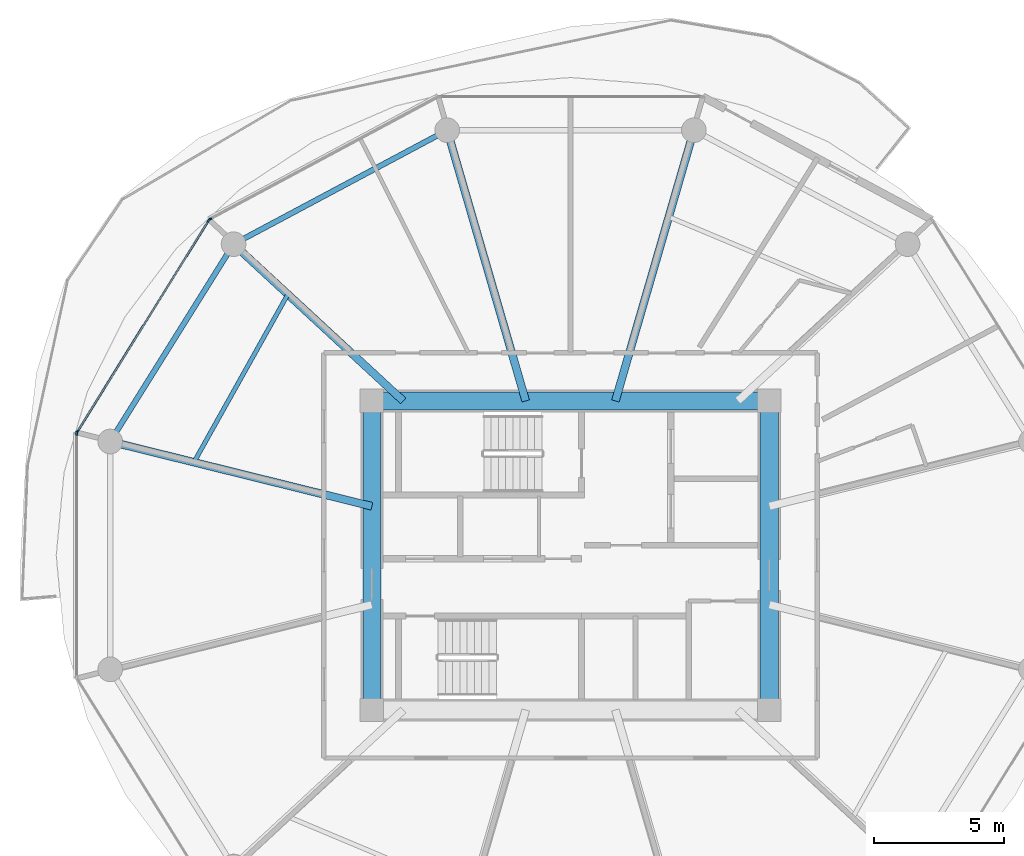
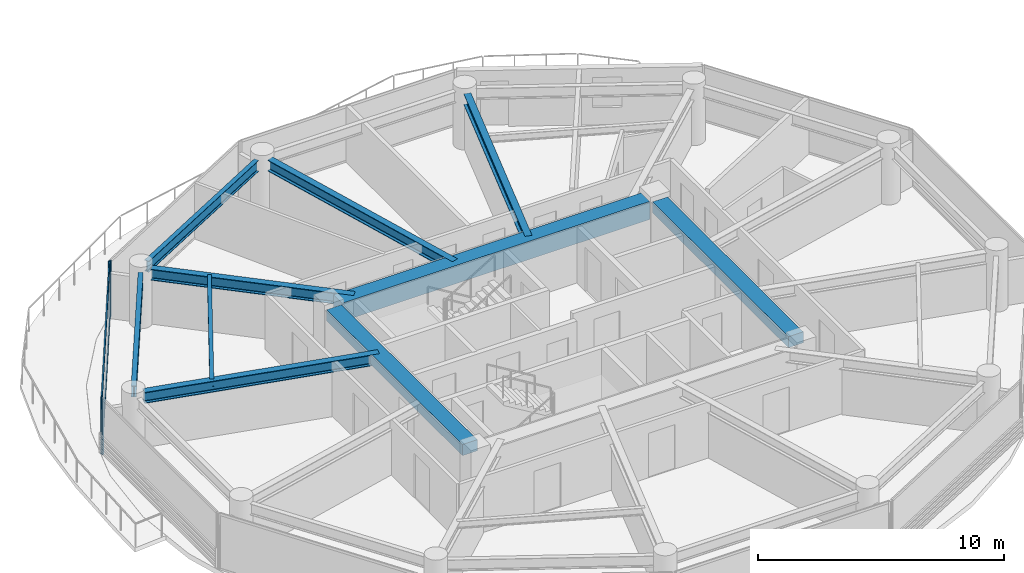
# One storey, part 4 of 25: 10 beams, 6 members, 3 elements without a shape of their own.
"""IFC4 building model written with IfcOpenShell, lengths in metres."""

from ifc_helpers import new_model, si_unit, direction, frame, origin, origin_2d, place, context, subcontext, project, spatial, rectangle, i_section, extrude, source, transform, mapped, material, layer, layer_set, material_profile, profile_set, type_object, type_shapes, element, aggregate, save


model = new_model("IFC4")

# Units and contexts
model_context = context("Model", 3, precision=1e-05, world=origin(), true_north=direction((0.0, 1.0)))
body_context = subcontext(model_context, "Body", "Model", "MODEL_VIEW")
ifc_project = project(units=[si_unit("LENGTHUNIT", "METRE"), si_unit("AREAUNIT", "SQUARE_METRE"), si_unit("VOLUMEUNIT", "CUBIC_METRE"), si_unit("PLANEANGLEUNIT", "RADIAN"), si_unit("MASSUNIT", "GRAM", prefix="KILO")], contexts=[model_context])

# Site, building, storey
site_placement = place(None, origin())
site = spatial("IfcSite", under=ifc_project, at=site_placement, CompositionType="ELEMENT")
building_placement = place(site_placement, origin())
building = spatial("IfcBuilding", under=site, at=building_placement, Name="Norrkilde Senior Care Towers", CompositionType="ELEMENT")
storey_placement = place(building_placement, frame((0.0, 0.0, 27.699951171875)))
storey = spatial("IfcBuildingStorey", under=building, at=storey_placement, Name="L07", CompositionType="ELEMENT", Elevation=27.699951171875)

# Beams
ifc_material_1 = material(Name="Concrete C60/75", Category="concrete")
ifc_material_profile_1 = material_profile(ifc_material_1, rectangle(XDim=0.699951171875, YDim=0.89990234375, at=origin_2d()), Name="RC BM 700x900")
ifc_profile_set_1 = profile_set([ifc_material_profile_1], Name="Concrete C60/75")
beam_type_1 = type_object("IfcBeamType", Name="Core Coupling Girder 700x900", PredefinedType="USERDEFINED", material=ifc_profile_set_1)
shared_shape_1 = source(origin(), body_context, "Body", "SweptSolid", [
    extrude(rectangle(XDim=0.699951171875, YDim=0.89990234375, at=origin_2d()), origin(), (0.0, 0.0, 1.0), 14.43994140625),
])
type_shapes(beam_type_1, [shared_shape_1])
beam_1_placement = place(storey_placement, frame((-35.219970703125, 5.949951171875, 2.340087890625), z_axis=(1.0, 0.0, 0.0), x_axis=(0.0, 1.0, 0.0)))
element("IfcBeam", 1, at=beam_1_placement, inside=storey, type_object=beam_type_1, Name="L07 Core W N Coupling Girder", ObjectType="GIRDER", PredefinedType="USERDEFINED", context=body_context, shape_type="MappedRepresentation", body=[
    mapped(shared_shape_1, transform((0.0, 0.0, 0.0), x_axis=(1.0, 0.0, 0.0), y_axis=(0.0, 1.0, 0.0), z_axis=(0.0, 0.0, 1.0), scale=1.0)),
])
ifc_material_profile_2 = material_profile(ifc_material_1, rectangle(XDim=0.699951171875, YDim=0.550048828125, at=origin_2d()), Name="RC BM 700x550")
ifc_profile_set_2 = profile_set([ifc_material_profile_2], Name="Concrete C60/75")
beam_type_2 = type_object("IfcBeamType", Name="Core Portal Coupling Beam 700x550", PredefinedType="USERDEFINED", material=ifc_profile_set_2)
shared_shape_2 = source(origin(), body_context, "Body", "SweptSolid", [
    extrude(rectangle(XDim=0.699951171875, YDim=0.550048828125, at=origin_2d()), origin(), (0.0, 0.0, 1.0), 11.0400390625),
])
type_shapes(beam_type_2, [shared_shape_2])
for number, where, z_axis, x_axis, name in (
    (2, (-35.64990234375, -5.52001953125, 2.51513671875), (0.0, 1.0, 0.0), (-1.0, 0.0, 0.0), "L07 Core W W Coupling Girder"),
    (3, (-20.35009765625, -5.52001953125, 2.51513671875), (0.0, 1.0, 0.0), (-1.0, 0.0, 0.0), "L07 Core W E Coupling Girder"),
):
    element("IfcBeam", number, at=place(storey_placement, frame(where, z_axis=z_axis, x_axis=x_axis)), inside=storey, type_object=beam_type_2, Name=name, ObjectType="GIRDER", PredefinedType="USERDEFINED", context=body_context, shape_type="MappedRepresentation", body=[
        mapped(shared_shape_2, transform((0.0, 0.0, 0.0), x_axis=(1.0, 0.0, 0.0), y_axis=(0.0, 1.0, 0.0), z_axis=(0.0, 0.0, 1.0), scale=1.0)),
    ])
ifc_material_2 = material(Name="Steel S355", Category="steel")
ifc_material_profile_3 = material_profile(ifc_material_2, i_section(OverallWidth=0.2099609375, OverallDepth=0.550048828125, WebThickness=0.010986328125, FlangeThickness=0.01708984375, FilletRadius=0.02392578125, at=origin_2d()), Name="IPE 550")
ifc_profile_set_3 = profile_set([ifc_material_profile_3], Name="Steel S355")
beam_type_3 = type_object("IfcBeamType", Name="Perimeter Ring Spandrel Z1 IPE550", PredefinedType="SPANDREL", material=ifc_profile_set_3)
shared_shape_3 = source(origin(), body_context, "Body", "SweptSolid", [
    extrude(i_section(OverallWidth=0.2099609375, OverallDepth=0.550048828125, WebThickness=0.010986328125, FlangeThickness=0.01708984375, FilletRadius=0.02392578125, at=origin_2d()), origin(), (0.0, 0.0, 1.0), 8.090576171875),
])
beam_2_placement = place(storey_placement, frame((-41.2060546875, 11.61669921875, 2.51513671875), z_axis=(-0.530004364821, -0.84799491347, 0.0), x_axis=(0.84799491347, -0.530004364821, 0.0)))
element("IfcBeam", 4, at=beam_2_placement, inside=storey, type_object=beam_type_3, Name="L07 Drum W Perimeter Spandrel 05", PredefinedType="SPANDREL", context=body_context, shape_type="MappedRepresentation", body=[
    mapped(shared_shape_3, transform((0.0, 0.0, 0.0), x_axis=(1.0, 0.0, 0.0), y_axis=(0.0, 1.0, 0.0), z_axis=(0.0, 0.0, 1.0), scale=1.0)),
])
ifc_material_profile_4 = material_profile(ifc_material_2, i_section(OverallWidth=0.300048828125, OverallDepth=0.550048828125, WebThickness=0.014892578125, FlangeThickness=0.029052734375, FilletRadius=0.027099609375, at=origin_2d()), Name="HEB 550")
ifc_profile_set_4 = profile_set([ifc_material_profile_4], Name="Steel S355")
beam_type_4 = type_object("IfcBeamType", Name="Radial Floor Beam Z1 HEB550", PredefinedType="BEAM", material=ifc_profile_set_4)
shared_shape_4 = source(origin(), body_context, "Body", "SweptSolid", [
    extrude(i_section(OverallWidth=0.300048828125, OverallDepth=0.550048828125, WebThickness=0.014892578125, FlangeThickness=0.029052734375, FilletRadius=0.027099609375, at=origin_2d()), origin(), (0.0, 0.0, 1.0), 9.94384765625),
])
beam_3_placement = place(storey_placement, frame((-35.64990234375, 1.893310546875, 2.51513671875), z_axis=(-0.970707425182, 0.240264634718, 0.0), x_axis=(-0.240264634718, -0.970707425182, 0.0)))
element("IfcBeam", 5, at=beam_3_placement, inside=storey, type_object=beam_type_4, Name="L07 Drum W Radial Floor Beam 06", PredefinedType="BEAM", context=body_context, shape_type="MappedRepresentation", body=[
    mapped(shared_shape_4, transform((0.0, 0.0, 0.0), x_axis=(1.0, 0.0, 0.0), y_axis=(0.0, 1.0, 0.0), z_axis=(0.0, 0.0, 1.0), scale=1.0)),
])
shared_shape_5 = source(origin(), body_context, "Body", "SweptSolid", [
    extrude(i_section(OverallWidth=0.2099609375, OverallDepth=0.550048828125, WebThickness=0.010986328125, FlangeThickness=0.01708984375, FilletRadius=0.02392578125, at=origin_2d()), origin(), (0.0, 0.0, 1.0), 8.452880859375),
])
type_shapes(beam_type_3, [shared_shape_3, shared_shape_5])
beam_4_placement = place(storey_placement, frame((-33.133056640625, 16.167724609375, 2.51513671875), z_axis=(-0.882368931134, -0.470558252898, 0.0), x_axis=(0.470558252898, -0.882368931134, 0.0)))
element("IfcBeam", 6, at=beam_4_placement, inside=storey, type_object=beam_type_3, Name="L07 Drum W Perimeter Spandrel 04", PredefinedType="SPANDREL", context=body_context, shape_type="MappedRepresentation", body=[
    mapped(shared_shape_5, transform((0.0, 0.0, 0.0), x_axis=(1.0, 0.0, 0.0), y_axis=(0.0, 1.0, 0.0), z_axis=(0.0, 0.0, 1.0), scale=1.0)),
])
shared_shape_6 = source(origin(), body_context, "Body", "SweptSolid", [
    extrude(i_section(OverallWidth=0.300048828125, OverallDepth=0.550048828125, WebThickness=0.014892578125, FlangeThickness=0.029052734375, FilletRadius=0.027099609375, at=origin_2d()), origin(), (0.0, 0.0, 1.0), 8.459716796875),
])
beam_5_placement = place(storey_placement, frame((-34.44140625, 5.949951171875, 2.51513671875), z_axis=(-0.734573269108, 0.678529374686, 0.0), x_axis=(-0.678529374686, -0.734573269108, 0.0)))
element("IfcBeam", 7, at=beam_5_placement, inside=storey, type_object=beam_type_4, Name="L07 Drum W Radial Floor Beam 05", PredefinedType="BEAM", context=body_context, shape_type="MappedRepresentation", body=[
    mapped(shared_shape_6, transform((0.0, 0.0, 0.0), x_axis=(1.0, 0.0, 0.0), y_axis=(0.0, 1.0, 0.0), z_axis=(0.0, 0.0, 1.0), scale=1.0)),
])
shared_shape_7 = source(origin(), body_context, "Body", "SweptSolid", [
    extrude(i_section(OverallWidth=0.300048828125, OverallDepth=0.550048828125, WebThickness=0.014892578125, FlangeThickness=0.029052734375, FilletRadius=0.027099609375, at=origin_2d()), origin(), (0.0, 0.0, 1.0), 10.4169921875),
])
type_shapes(beam_type_4, [shared_shape_4, shared_shape_6, shared_shape_7])
for number, where, z_axis, x_axis, name in (
    (8, (-26.27392578125, 5.949951171875, 2.51513671875), (0.278591250785, 0.960409764104, 0.0), (-0.960409764104, 0.278591250785, 0.0), "L07 Drum W Radial Floor Beam 03"),
    (9, (-29.72607421875, 5.949951171875, 2.51513671875), (-0.278591250785, 0.960409764104, 0.0), (-0.960409764104, -0.278591250785, 0.0), "L07 Drum W Radial Floor Beam 04"),
):
    element("IfcBeam", number, at=place(storey_placement, frame(where, z_axis=z_axis, x_axis=x_axis)), inside=storey, type_object=beam_type_4, Name=name, PredefinedType="BEAM", context=body_context, shape_type="MappedRepresentation", body=[
        mapped(shared_shape_7, transform((0.0, 0.0, 0.0), x_axis=(1.0, 0.0, 0.0), y_axis=(0.0, 1.0, 0.0), z_axis=(0.0, 0.0, 1.0), scale=1.0)),
    ])
ifc_material_profile_5 = material_profile(ifc_material_2, i_section(OverallWidth=0.169921875, OverallDepth=0.360107421875, WebThickness=0.008056640625, FlangeThickness=0.0126953125, FilletRadius=0.01806640625, at=origin_2d()), Name="IPE 360")
ifc_profile_set_5 = profile_set([ifc_material_profile_5], Name="Steel S355")
beam_type_5 = type_object("IfcBeamType", Name="Secondary Floor Joist IPE360", PredefinedType="JOIST", material=ifc_profile_set_5)
shared_shape_8 = source(origin(), body_context, "Body", "SweptSolid", [
    extrude(i_section(OverallWidth=0.169921875, OverallDepth=0.360107421875, WebThickness=0.008056640625, FlangeThickness=0.0126953125, FilletRadius=0.01806640625, at=origin_2d()), origin(), (0.0, 0.0, 1.0), 7.40771484375),
])
type_shapes(beam_type_5, [shared_shape_8])
beam_6_placement = place(storey_placement, frame((-38.884521484375, 10.05419921875, 2.610107421875), z_axis=(-0.488167754092, -0.872749817453, 0.0), x_axis=(0.872749817453, -0.488167754092, 0.0)))
element("IfcBeam", 10, at=beam_6_placement, inside=storey, type_object=beam_type_5, Name="L07 Drum W Secondary Floor Joist 2", PredefinedType="JOIST", context=body_context, shape_type="MappedRepresentation", body=[
    mapped(shared_shape_8, transform((0.0, 0.0, 0.0), x_axis=(1.0, 0.0, 0.0), y_axis=(0.0, 1.0, 0.0), z_axis=(0.0, 0.0, 1.0), scale=1.0)),
])

# Curtain wall, member
ifc_material_3 = material(Name="Triple Low-E Insulated Glazing", Category="glass")
ifc_layer = layer(ifc_material_3, 0.199951171875)
ifc_layer_set = layer_set([ifc_layer], Name="Triple Low-E Insulated Glazing")
curtain_wall_type = type_object("IfcCurtainWallType", Name="CW2 Zone 1 Memory Care Curtain Wall", PredefinedType="NOTDEFINED", material=ifc_layer_set)
curtain_wall_1_placement = place(storey_placement, origin())
curtain_wall_1 = element("IfcCurtainWall", 11, at=curtain_wall_1_placement, inside=storey, type_object=curtain_wall_type, Name="L07 Drum W Curtain Wall 03", PredefinedType="NOTDEFINED")
ifc_material_4 = material(Name="Anodised Aluminium", Category="aluminium")
ifc_material_profile_6 = material_profile(ifc_material_4, rectangle(XDim=0.06494140625, YDim=0.159912109375, at=origin_2d()), Name="ALU MULL 65x160")
ifc_profile_set_6 = profile_set([ifc_material_profile_6], Name="Anodised Aluminium")
member_type_1 = type_object("IfcMemberType", Name="Curtain Wall Mullion Z1-Z2 65x160", PredefinedType="MULLION", material=ifc_profile_set_6)
shared_shape_9 = source(origin(), body_context, "Body", "SweptSolid", [
    extrude(rectangle(XDim=0.06494140625, YDim=0.159912109375, at=origin_2d()), origin(), (0.0, 0.0, 1.0), 2.7900390625),
])
type_shapes(member_type_1, [shared_shape_9])
member_1_placement = place(storey_placement, frame((-41.88720703125, 12.941162109375, 0.0), z_axis=(0.0, 0.0, 1.0), x_axis=(-0.472607802456, 0.881272866403, 0.0)))
member_1 = element("IfcMember", 12, at=member_1_placement, type_object=member_type_1, Name="CW-2 mullion 1", PredefinedType="MULLION", context=body_context, shape_type="MappedRepresentation", body=[
    mapped(shared_shape_9, transform((0.0, 0.0, 0.0), x_axis=(1.0, 0.0, 0.0), y_axis=(0.0, 1.0, 0.0), z_axis=(0.0, 0.0, 1.0), scale=1.0)),
])
aggregate(curtain_wall_1, [member_1])

# Curtain wall, members
curtain_wall_2_placement = place(storey_placement, origin())
curtain_wall_2 = element("IfcCurtainWall", 13, at=curtain_wall_2_placement, inside=storey, type_object=curtain_wall_type, Name="L07 Drum W Curtain Wall 04", PredefinedType="NOTDEFINED")
member_2_placement = place(storey_placement, frame((-46.9921875, 4.7587890625, 0.0), z_axis=(0.0, 0.0, 1.0), x_axis=(-0.849305943117, 0.527900951871, 0.0)))
member_2 = element("IfcMember", 14, at=member_2_placement, type_object=member_type_1, Name="CW-2 mullion 1", PredefinedType="MULLION", context=body_context, shape_type="MappedRepresentation", body=[
    mapped(shared_shape_9, transform((0.0, 0.0, 0.0), x_axis=(1.0, 0.0, 0.0), y_axis=(0.0, 1.0, 0.0), z_axis=(0.0, 0.0, 1.0), scale=1.0)),
])
member_3_placement = place(storey_placement, frame((-41.93310546875, 12.898193359375, 0.0), z_axis=(0.0, 0.0, 1.0), x_axis=(-0.849305943117, 0.527900951871, 0.0)))
member_3 = element("IfcMember", 15, at=member_3_placement, type_object=member_type_1, Name="CW-2 mullion 2", PredefinedType="MULLION", context=body_context, shape_type="MappedRepresentation", body=[
    mapped(shared_shape_9, transform((0.0, 0.0, 0.0), x_axis=(1.0, 0.0, 0.0), y_axis=(0.0, 1.0, 0.0), z_axis=(0.0, 0.0, 1.0), scale=1.0)),
])

# Curtain wall, member
curtain_wall_3_placement = place(storey_placement, origin())
curtain_wall_3 = element("IfcCurtainWall", 16, at=curtain_wall_3_placement, inside=storey, type_object=curtain_wall_type, Name="L07 Drum W Curtain Wall 05", PredefinedType="NOTDEFINED")
member_4_placement = place(storey_placement, frame((-47.009521484375, 4.69873046875, 0.0), z_axis=(0.0, 0.0, 1.0), x_axis=(-1.0, 0.0, 0.0)))
member_4 = element("IfcMember", 17, at=member_4_placement, type_object=member_type_1, Name="CW-2 mullion 2", PredefinedType="MULLION", context=body_context, shape_type="MappedRepresentation", body=[
    mapped(shared_shape_9, transform((0.0, 0.0, 0.0), x_axis=(1.0, 0.0, 0.0), y_axis=(0.0, 1.0, 0.0), z_axis=(0.0, 0.0, 1.0), scale=1.0)),
])
aggregate(curtain_wall_3, [member_4])

# Member
ifc_material_profile_7 = material_profile(ifc_material_4, rectangle(XDim=0.06005859375, YDim=0.1201171875, at=origin_2d()), Name="ALU TRAN 60x120")
ifc_profile_set_7 = profile_set([ifc_material_profile_7], Name="Anodised Aluminium")
member_type_2 = type_object("IfcMemberType", Name="Curtain Wall Transom Typical 60x120", PredefinedType="USERDEFINED", material=ifc_profile_set_7)
shared_shape_10 = source(origin(), body_context, "Body", "SweptSolid", [
    extrude(rectangle(XDim=0.06005859375, YDim=0.1201171875, at=origin_2d()), origin(), (0.0, 0.0, 1.0), 9.5185546875),
])
type_shapes(member_type_2, [shared_shape_10])
member_5_placement = place(storey_placement, frame((-46.97509765625, 4.786376953125, 0.030029296875), z_axis=(0.527901620669, 0.849305527413, 0.0), x_axis=(-0.849305527413, 0.527901620669, 0.0)))
member_5 = element("IfcMember", 18, at=member_5_placement, type_object=member_type_2, Name="CW-2 transom 1.1", ObjectType="TRANSOM", PredefinedType="USERDEFINED", context=body_context, shape_type="MappedRepresentation", body=[
    mapped(shared_shape_10, transform((0.0, 0.0, 0.0), x_axis=(1.0, 0.0, 0.0), y_axis=(0.0, 1.0, 0.0), z_axis=(0.0, 0.0, 1.0), scale=1.0)),
])

member_6_placement = place(storey_placement, frame((-46.97509765625, 4.786376953125, 2.760009765625), z_axis=(0.527901620669, 0.849305527413, 0.0), x_axis=(-0.849305527413, 0.527901620669, 0.0)))
member_6 = element("IfcMember", 19, at=member_6_placement, type_object=member_type_2, Name="CW-2 transom 1.2", ObjectType="TRANSOM", PredefinedType="USERDEFINED", context=body_context, shape_type="MappedRepresentation", body=[
    mapped(shared_shape_10, transform((0.0, 0.0, 0.0), x_axis=(1.0, 0.0, 0.0), y_axis=(0.0, 1.0, 0.0), z_axis=(0.0, 0.0, 1.0), scale=1.0)),
])

aggregate(curtain_wall_2, [member_2, member_3, member_5, member_6])

save(model, "model.ifc")
